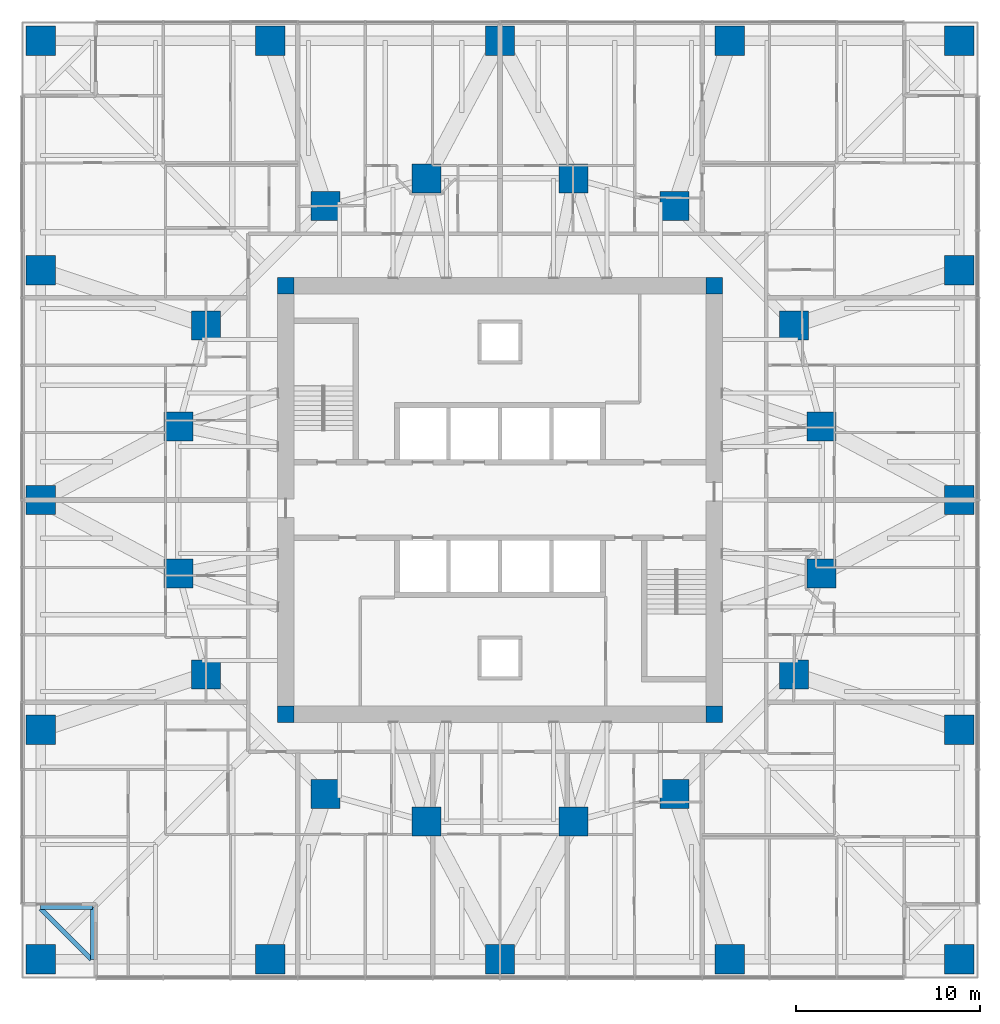
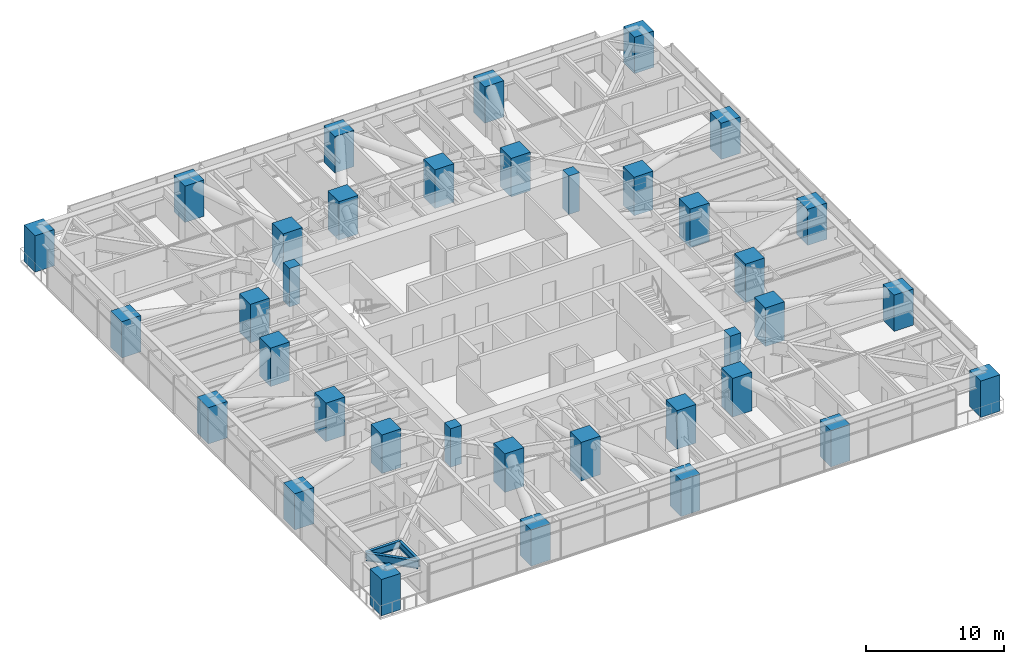
# One storey, part 1 of 17: 36 columns, 3 beams.
"""IFC4 building model written with IfcOpenShell, lengths in metres."""

import ifcopenshell
import ifcopenshell.guid

model = None  # the IFC model being written
_history = None  # IfcOwnerHistory: only IFC2X3 demands one
_inside = {}  # id of a spatial element -> (the spatial element, [elements in it])
_under = {}  # id of a project, library or spatial element -> (it, [spatial elements below it])
_declared = {}  # id of a project -> (the project, [libraries it declares])
_typed = {}  # id of a type object -> (the type object, [elements of that type])
_made_of = {}  # id of a material, layer set ... -> (it, [elements and type objects made of it])


def new_model(schema):
    """Start an empty IFC model of exactly this schema.

    Asked for "IFC4X3", IfcOpenShell would pick the latest addendum, in which some entities
    have other attributes; the version numbers below select the first issue.
    IFC2X3 requires an IfcOwnerHistory on every rooted entity: one is made here for all.
    """
    global model, _history
    if schema == "IFC4X3":
        model = ifcopenshell.file(schema_version=(4, 3, 0, 0))
    else:
        model = ifcopenshell.file(schema=schema)
    _inside.clear()
    _under.clear()
    _declared.clear()
    _typed.clear()
    _made_of.clear()
    _history = None
    if model.schema == "IFC2X3":
        org = make("IfcOrganization", Name="unknown")
        user = make(
            "IfcPersonAndOrganization",
            ThePerson=make("IfcPerson", FamilyName="unknown"),
            TheOrganization=org,
        )
        app = make(
            "IfcApplication",
            ApplicationDeveloper=org,
            Version="unknown",
            ApplicationFullName="unknown",
            ApplicationIdentifier="unknown",
        )
        _history = make(
            "IfcOwnerHistory",
            OwningUser=user,
            OwningApplication=app,
            ChangeAction="ADDED",
            CreationDate=0,
        )
    return model


def make(cls, **values):
    """One entity of the class cls with the attributes given. An attribute that is None is left unset."""
    return model.create_entity(
        cls, **{name: value for name, value in values.items() if value is not None}
    )


def rooted(cls, **values):
    """An entity with a GlobalId (a new one), such as an element, a storey or a relation."""
    return make(cls, GlobalId=ifcopenshell.guid.new(), OwnerHistory=_history, **values)


def si_unit(unit_type, name, prefix=None):
    """IfcSIUnit, for example si_unit("LENGTHUNIT", "METRE", prefix="MILLI")."""
    return make("IfcSIUnit", UnitType=unit_type, Prefix=prefix, Name=name)


def assignment(units):
    """IfcUnitAssignment: the units of a project."""
    return None if units is None else make("IfcUnitAssignment", Units=units)


def point(xyz):
    """IfcCartesianPoint."""
    return None if xyz is None else make("IfcCartesianPoint", Coordinates=xyz)


def direction(xyz):
    """IfcDirection."""
    return None if xyz is None else make("IfcDirection", DirectionRatios=xyz)


def frame(location, z_axis=None, x_axis=None):
    """IfcAxis2Placement3D, a coordinate frame: its origin and axes. An axis left out is left unset."""
    return make(
        "IfcAxis2Placement3D",
        Location=point(location),
        Axis=direction(z_axis),
        RefDirection=direction(x_axis),
    )


def frame_2d(location, x_axis=None):
    """IfcAxis2Placement2D, a coordinate frame in the plane: its origin and x axis."""
    return make(
        "IfcAxis2Placement2D", Location=point(location), RefDirection=direction(x_axis)
    )


def origin():
    """The frame at (0, 0, 0) with its axes left unset."""
    return frame((0.0, 0.0, 0.0))


def origin_2d():
    """The frame at (0, 0) in the plane with its x axis left unset."""
    return frame_2d((0.0, 0.0))


def place(relative_to, where):
    """IfcLocalPlacement: puts the frame where relative to a parent placement (None: the world)."""
    return make(
        "IfcLocalPlacement", PlacementRelTo=relative_to, RelativePlacement=where
    )


def context(
    kind, dimensions, precision=None, world=None, true_north=None, identifier=None
):
    """IfcGeometricRepresentationContext, for example the 3D "Model" context."""
    return make(
        "IfcGeometricRepresentationContext",
        ContextIdentifier=identifier,
        ContextType=kind,
        CoordinateSpaceDimension=dimensions,
        Precision=precision,
        WorldCoordinateSystem=world,
        TrueNorth=true_north,
    )


def subcontext(parent, identifier, kind, view, scale=None):
    """IfcGeometricRepresentationSubContext, for example "Body" below "Model"."""
    return make(
        "IfcGeometricRepresentationSubContext",
        ContextIdentifier=identifier,
        ContextType=kind,
        ParentContext=parent,
        TargetScale=scale,
        TargetView=view,
    )


def project(units=None, contexts=None):
    """IfcProject with its units and contexts."""
    return rooted(
        "IfcProject",
        Name="project",
        RepresentationContexts=contexts,
        UnitsInContext=assignment(units),
    )


def spatial(cls, under=None, at=None, **own):
    """A site, building, storey or space (cls), placed at a placement, below another one or the project."""
    s = rooted(cls, ObjectPlacement=at, **own)
    if under is not None:
        _under.setdefault(under.id(), (under, []))[1].append(s)
    return s


def profile(cls, at=None, kind="AREA", **sizes):
    """A parametric profile (cls). Its sizes go by their IFC names, for example OverallWidth=200.0."""
    return make(cls, ProfileType=kind, Position=at, **sizes)


def rectangle(**sizes):
    """IfcRectangleProfileDef."""
    return profile("IfcRectangleProfileDef", **sizes)


def i_section(**sizes):
    """IfcIShapeProfileDef."""
    return profile("IfcIShapeProfileDef", **sizes)


def extrude(swept, where, along, depth):
    """IfcExtrudedAreaSolid: the profile swept, set in the frame where, extruded along a direction by depth."""
    return make(
        "IfcExtrudedAreaSolid",
        SweptArea=swept,
        Position=where,
        ExtrudedDirection=direction(along),
        Depth=depth,
    )


def shape(context_of_items, identifier, shape_type, items):
    """IfcShapeRepresentation: the items that make up one representation, for example the "Body"."""
    return make(
        "IfcShapeRepresentation",
        ContextOfItems=context_of_items,
        RepresentationIdentifier=identifier,
        RepresentationType=shape_type,
        Items=items,
    )


def material(Name=None, Category=None):
    """IfcMaterial."""
    return make("IfcMaterial", Name=Name, Category=Category)


def material_profile(
    of_material, cross_section, Name=None, Category=None, Priority=None
):
    """IfcMaterialProfile: a cross section and its material."""
    return make(
        "IfcMaterialProfile",
        Name=Name,
        Material=of_material,
        Profile=cross_section,
        Priority=Priority,
        Category=Category,
    )


def profile_set(profiles, Name=None, composite=None):
    """IfcMaterialProfileSet."""
    return make(
        "IfcMaterialProfileSet",
        Name=Name,
        MaterialProfiles=profiles,
        CompositeProfile=composite,
    )


def made_of(thing, what):
    """Note that an element or type object is made of a material, layer set ...; save() writes the relation."""
    if what is not None:
        _made_of.setdefault(what.id(), (what, []))[1].append(thing)
    return thing


def type_object(cls, material=None, **own):
    """A type object (cls), such as IfcWallType, which elements share."""
    return made_of(rooted(cls, **own), material)


def element(
    cls,
    number,
    at=None,
    inside=None,
    cuts=None,
    type_object=None,
    material=None,
    context=None,
    identifier="Body",
    shape_type=None,
    held_by="IfcProductDefinitionShape",
    body=None,
    shapes=None,
    **own,
):
    """One element of the class cls, such as IfcWall. Its Tag is "e" and its number.

    at: its placement. inside: the storey or other place that contains it. cuts: it is an
    opening in that element (IfcRelVoidsElement). A single representation is given by context,
    identifier, shape_type and body (its items); several are given by shapes. held_by: the class
    of the entity that holds the representations. save() writes the other relations.
    """
    e = rooted(cls, Tag="e%d" % number, ObjectPlacement=at, **own)
    if body is not None:
        shapes = [shape(context, identifier, shape_type, body)]
    if shapes is not None:
        e.Representation = make(held_by, Representations=shapes)
    if inside is not None:
        _inside.setdefault(inside.id(), (inside, []))[1].append(e)
    if cuts is not None:
        rooted(
            "IfcRelVoidsElement", RelatingBuildingElement=cuts, RelatedOpeningElement=e
        )
    if type_object is not None:
        _typed.setdefault(type_object.id(), (type_object, []))[1].append(e)
    return made_of(e, material)


def aggregate(whole, parts):
    """IfcRelAggregates: a whole, such as a stair, and the parts it consists of."""
    return rooted("IfcRelAggregates", RelatingObject=whole, RelatedObjects=parts)


def save(model, path):
    """Write the relations noted so far, then the file.

    IfcRelAggregates (storeys below a building ...), IfcRelContainedInSpatialStructure (elements
    in a storey), IfcRelDefinesByType, IfcRelAssociatesMaterial and IfcRelDeclares: one each for
    every whole, place, type object, material and project.
    """
    for whole, parts in _under.values():
        aggregate(whole, parts)
    for where, things in _inside.values():
        rooted(
            "IfcRelContainedInSpatialStructure",
            RelatedElements=things,
            RelatingStructure=where,
        )
    for kind, things in _typed.values():
        rooted("IfcRelDefinesByType", RelatedObjects=things, RelatingType=kind)
    for what, things in _made_of.values():
        rooted("IfcRelAssociatesMaterial", RelatedObjects=things, RelatingMaterial=what)
    for by, libraries in _declared.values():
        rooted("IfcRelDeclares", RelatingContext=by, RelatedDefinitions=libraries)
    model.write(path)


model = new_model("IFC4")

# Units and contexts
model_context = context("Model", 3, precision=1e-05, world=origin(), true_north=direction((0.0, 1.0)))
body_context = subcontext(model_context, "Body", "Model", "MODEL_VIEW")
ifc_project = project(units=[si_unit("LENGTHUNIT", "METRE"), si_unit("AREAUNIT", "SQUARE_METRE"), si_unit("VOLUMEUNIT", "CUBIC_METRE"), si_unit("PLANEANGLEUNIT", "RADIAN"), si_unit("MASSUNIT", "GRAM", prefix="KILO")], contexts=[model_context])

# Site, building, storey
site_placement = place(None, origin())
site = spatial("IfcSite", under=ifc_project, at=site_placement, CompositionType="ELEMENT")
building_placement = place(site_placement, origin())
building = spatial("IfcBuilding", under=site, at=building_placement, Name="Torsade Residences", CompositionType="ELEMENT")
storey_placement = place(building_placement, frame((0.0, 0.0, 38.800048828125)))
storey = spatial("IfcBuildingStorey", under=building, at=storey_placement, Name="L10", CompositionType="ELEMENT", Elevation=38.800048828125)

# Columns
ifc_material_1 = material(Name="Concrete 80 MPa", Category="concrete")
ifc_material_profile_1 = material_profile(ifc_material_1, rectangle(XDim=0.89990234375, YDim=0.89990234375, at=origin_2d()), Name="RC 900x900")
ifc_profile_set_1 = profile_set([ifc_material_profile_1], Name="Concrete 80 MPa")
column_type_1 = type_object("IfcColumnType", Name="CORE CORNER COLUMN RC 900x900", PredefinedType="COLUMN", material=ifc_profile_set_1)
for number, where, z_axis, x_axis, name in (
    (1, (28.35009765625, 18.35009765625, 0.0), (0.0, 0.0, 1.0), (1.0, 0.0, 0.0), "Core corner column CC1 L10"),
    (2, (51.64990234375, 18.35009765625, 0.0), (0.0, 0.0, 1.0), (1.0, 0.0, 0.0), "Core corner column CC2 L10"),
    (3, (51.64990234375, 41.64990234375, 0.0), (0.0, 0.0, 1.0), (1.0, 0.0, 0.0), "Core corner column CC3 L10"),
    (4, (28.35009765625, 41.64990234375, 0.0), (0.0, 0.0, 1.0), (1.0, 0.0, 0.0), "Core corner column CC4 L10"),
):
    element("IfcColumn", number, at=place(storey_placement, frame(where, z_axis=z_axis, x_axis=x_axis)), inside=storey, type_object=column_type_1, Name=name, PredefinedType="COLUMN", context=body_context, shape_type="SweptSolid", body=[
        extrude(rectangle(XDim=0.89990234375, YDim=0.89990234375, at=origin_2d()), origin(), (0.0, 0.0, 1.0), 3.39990234375),
    ])
ifc_material_2 = material(Name="Concrete 80 MPa", Category="concrete")
ifc_material_profile_2 = material_profile(ifc_material_2, rectangle(XDim=1.60009765625, YDim=1.60009765625, at=origin_2d()), Name="RC 1600x1600")
ifc_profile_set_2 = profile_set([ifc_material_profile_2], Name="Concrete 80 MPa")
column_type_2 = type_object("IfcColumnType", Name="INNER RING COLUMN RC 1600x1600", PredefinedType="COLUMN", material=ifc_profile_set_2)
for number, where, z_axis, x_axis, name in (
    (5, (57.5, 26.0, 0.0), (0.0, 0.0, 1.0), (1.0, 0.0, 0.0), "Inner ring column IR01 L10"),
    (6, (57.5, 34.0, 0.0), (0.0, 0.0, 1.0), (1.0, 0.0, 0.0), "Inner ring column IR02 L10"),
    (7, (56.0, 39.5, 0.0), (0.0, 0.0, 1.0), (1.0, 0.0, 0.0), "Inner ring column IR03 L10"),
    (8, (49.5, 46.0, 0.0), (0.0, 0.0, 1.0), (1.0, 0.0, 0.0), "Inner ring column IR04 L10"),
    (9, (44.0, 47.5, 0.0), (0.0, 0.0, 1.0), (1.0, 0.0, 0.0), "Inner ring column IR05 L10"),
    (10, (36.0, 47.5, 0.0), (0.0, 0.0, 1.0), (1.0, 0.0, 0.0), "Inner ring column IR06 L10"),
    (11, (30.5, 46.0, 0.0), (0.0, 0.0, 1.0), (1.0, 0.0, 0.0), "Inner ring column IR07 L10"),
    (12, (24.0, 39.5, 0.0), (0.0, 0.0, 1.0), (1.0, 0.0, 0.0), "Inner ring column IR08 L10"),
    (13, (22.5, 34.0, 0.0), (0.0, 0.0, 1.0), (1.0, 0.0, 0.0), "Inner ring column IR09 L10"),
    (14, (22.5, 26.0, 0.0), (0.0, 0.0, 1.0), (1.0, 0.0, 0.0), "Inner ring column IR10 L10"),
    (15, (24.0, 20.5, 0.0), (0.0, 0.0, 1.0), (1.0, 0.0, 0.0), "Inner ring column IR11 L10"),
    (16, (30.5, 14.0, 0.0), (0.0, 0.0, 1.0), (1.0, 0.0, 0.0), "Inner ring column IR12 L10"),
    (17, (36.0, 12.5, 0.0), (0.0, 0.0, 1.0), (1.0, 0.0, 0.0), "Inner ring column IR13 L10"),
    (18, (44.0, 12.5, 0.0), (0.0, 0.0, 1.0), (1.0, 0.0, 0.0), "Inner ring column IR14 L10"),
    (19, (49.5, 14.0, 0.0), (0.0, 0.0, 1.0), (1.0, 0.0, 0.0), "Inner ring column IR15 L10"),
    (20, (56.0, 20.5, 0.0), (0.0, 0.0, 1.0), (1.0, 0.0, 0.0), "Inner ring column IR16 L10"),
):
    element("IfcColumn", number, at=place(storey_placement, frame(where, z_axis=z_axis, x_axis=x_axis)), inside=storey, type_object=column_type_2, Name=name, PredefinedType="COLUMN", context=body_context, shape_type="SweptSolid", body=[
        extrude(rectangle(XDim=1.60009765625, YDim=1.60009765625, at=origin_2d()), origin(), (0.0, 0.0, 1.0), 3.39990234375),
    ])
ifc_material_3 = material(Name="Concrete 80 MPa", Category="concrete")
ifc_material_profile_3 = material_profile(ifc_material_3, rectangle(XDim=1.60009765625, YDim=1.60009765625, at=origin_2d()), Name="RC 1600x1600")
ifc_profile_set_3 = profile_set([ifc_material_profile_3], Name="Concrete 80 MPa")
column_type_3 = type_object("IfcColumnType", Name="TOWER COLUMN RC 1600x1600", PredefinedType="COLUMN", material=ifc_profile_set_3)
for number, where, z_axis, x_axis, name in (
    (21, (15.0, 5.0, 0.0), (0.0, 0.0, 1.0), (1.0, 0.0, 0.0), "Column TC1-01 L10"),
    (22, (27.5, 5.0, 0.0), (0.0, 0.0, 1.0), (1.0, 0.0, 0.0), "Column TC1-02 L10"),
    (23, (40.0, 5.0, 0.0), (0.0, 0.0, 1.0), (1.0, 0.0, 0.0), "Column TC1-03 L10"),
    (24, (52.5, 5.0, 0.0), (0.0, 0.0, 1.0), (1.0, 0.0, 0.0), "Column TC1-04 L10"),
    (25, (65.0, 5.0, 0.0), (0.0, 0.0, 1.0), (1.0, 0.0, 0.0), "Column TC1-05 L10"),
    (26, (65.0, 17.5, 0.0), (0.0, 0.0, 1.0), (1.0, 0.0, 0.0), "Column TC1-06 L10"),
    (27, (65.0, 30.0, 0.0), (0.0, 0.0, 1.0), (1.0, 0.0, 0.0), "Column TC1-07 L10"),
    (28, (65.0, 42.5, 0.0), (0.0, 0.0, 1.0), (1.0, 0.0, 0.0), "Column TC1-08 L10"),
    (29, (65.0, 55.0, 0.0), (0.0, 0.0, 1.0), (1.0, 0.0, 0.0), "Column TC1-09 L10"),
    (30, (52.5, 55.0, 0.0), (0.0, 0.0, 1.0), (1.0, 0.0, 0.0), "Column TC1-10 L10"),
    (31, (40.0, 55.0, 0.0), (0.0, 0.0, 1.0), (1.0, 0.0, 0.0), "Column TC1-11 L10"),
    (32, (27.5, 55.0, 0.0), (0.0, 0.0, 1.0), (1.0, 0.0, 0.0), "Column TC1-12 L10"),
    (33, (15.0, 55.0, 0.0), (0.0, 0.0, 1.0), (1.0, 0.0, 0.0), "Column TC1-13 L10"),
    (34, (15.0, 42.5, 0.0), (0.0, 0.0, 1.0), (1.0, 0.0, 0.0), "Column TC1-14 L10"),
    (35, (15.0, 30.0, 0.0), (0.0, 0.0, 1.0), (1.0, 0.0, 0.0), "Column TC1-15 L10"),
    (36, (15.0, 17.5, 0.0), (0.0, 0.0, 1.0), (1.0, 0.0, 0.0), "Column TC1-16 L10"),
):
    element("IfcColumn", number, at=place(storey_placement, frame(where, z_axis=z_axis, x_axis=x_axis)), inside=storey, type_object=column_type_3, Name=name, PredefinedType="COLUMN", context=body_context, shape_type="SweptSolid", body=[
        extrude(rectangle(XDim=1.60009765625, YDim=1.60009765625, at=origin_2d()), origin(), (0.0, 0.0, 1.0), 3.199951171875),
    ])

# Beams
ifc_material_4 = material(Name="Steel grade 300", Category="steel")
ifc_material_profile_4 = material_profile(ifc_material_4, i_section(OverallWidth=0.25, OverallDepth=0.699951171875, WebThickness=0.010009765625, FlangeThickness=0.02001953125, at=origin_2d()), Name="700WB130")
ifc_profile_set_4 = profile_set([ifc_material_profile_4], Name="Steel grade 300")
beam_type_1 = type_object("IfcBeamType", Name="CORNER TRIMMER 700WB130", PredefinedType="BEAM", material=ifc_profile_set_4)
beam_placement = place(storey_placement, frame((17.75, 5.0, 2.849853515625), z_axis=(-0.707106781187, 0.707106781187, 0.0), x_axis=(-0.707106781187, -0.707106781187, 0.0)))
element("IfcBeam", 37, at=beam_placement, inside=storey, type_object=beam_type_1, Name="Corner trimmer 01 L11", PredefinedType="BEAM", context=body_context, shape_type="SweptSolid", body=[
    extrude(i_section(OverallWidth=0.25, OverallDepth=0.699951171875, WebThickness=0.010009765625, FlangeThickness=0.02001953125, at=origin_2d()), origin(), (0.0, 0.0, 1.0), 3.88916015625),
])
ifc_material_5 = material(Name="Steel grade 300", Category="steel")
ifc_material_profile_5 = material_profile(ifc_material_5, i_section(OverallWidth=0.22900390625, OverallDepth=0.612060546875, WebThickness=0.011962890625, FlangeThickness=0.01953125, FilletRadius=0.013916015625, at=origin_2d()), Name="610UB125")
ifc_profile_set_5 = profile_set([ifc_material_profile_5], Name="Steel grade 300")
beam_type_2 = type_object("IfcBeamType", Name="SECONDARY BEAM 610UB125", PredefinedType="JOIST", material=ifc_profile_set_5)
for number, where, z_axis, x_axis, name in (
    (38, (17.833251953125, 5.0, 2.89404296875), (0.0, 1.0, 0.0), (-1.0, 0.0, 0.0), "Floor beam FS01 L11"),
    (39, (15.0, 7.833251953125, 2.89404296875), (1.0, 0.0, 0.0), (0.0, 1.0, 0.0), "Floor beam FW12 L11"),
):
    element("IfcBeam", number, at=place(storey_placement, frame(where, z_axis=z_axis, x_axis=x_axis)), inside=storey, type_object=beam_type_2, Name=name, PredefinedType="JOIST", context=body_context, shape_type="SweptSolid", body=[
        extrude(i_section(OverallWidth=0.22900390625, OverallDepth=0.612060546875, WebThickness=0.011962890625, FlangeThickness=0.01953125, FilletRadius=0.013916015625, at=origin_2d()), origin(), (0.0, 0.0, 1.0), 2.833251953125),
    ])

save(model, "model.ifc")
